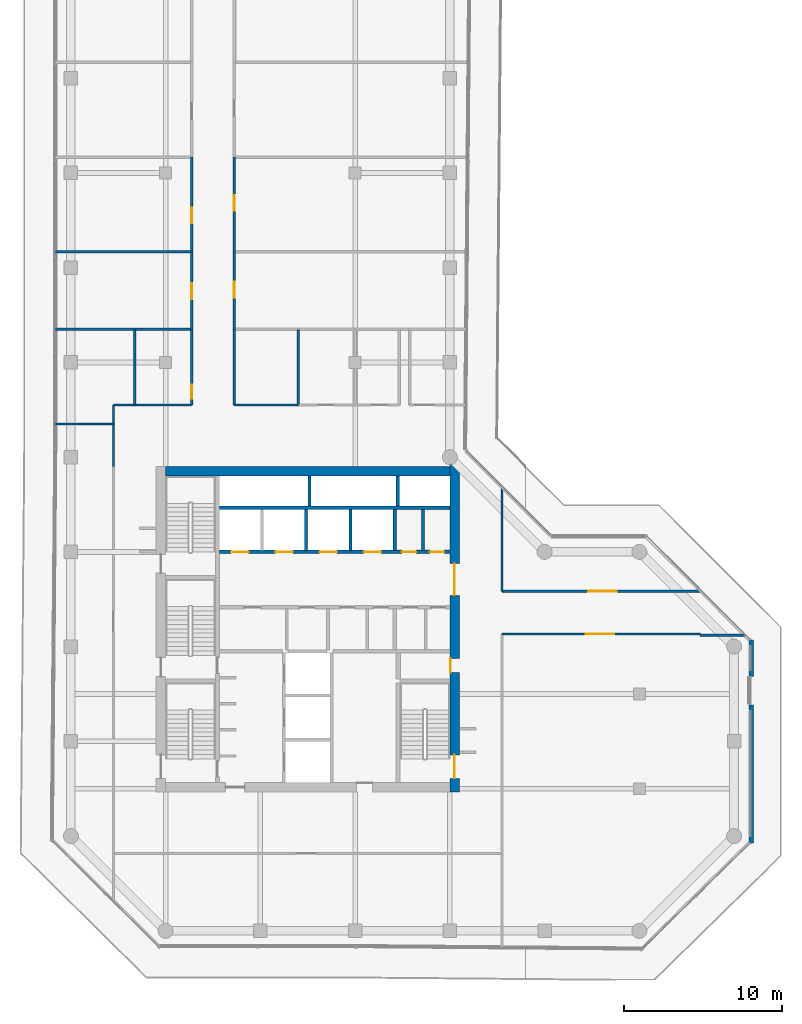
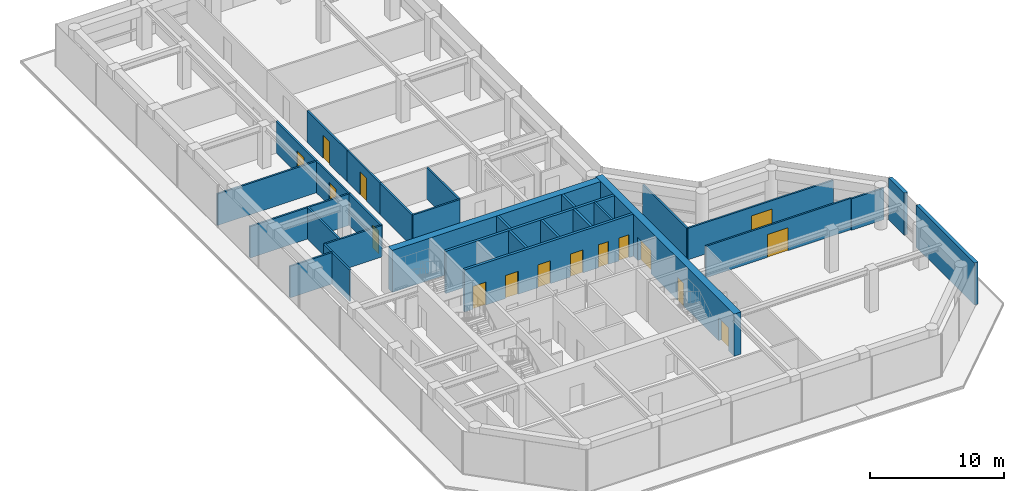
# One storey, part 16 of 19: 30 walls, 16 doors, 16 openings.
"""IFC4 building model written with IfcOpenShell, lengths in metres."""

from ifc_helpers import new_model, si_unit, direction, frame, frame_2d, origin, place, context, subcontext, project, spatial, rectangle, extrude, material, layer, layer_set, type_object, element, fill, save


model = new_model("IFC4")

# Units and contexts
model_context = context("Model", 3, precision=1e-05, world=origin(), true_north=direction((0.0, 1.0)))
body_context = subcontext(model_context, "Body", "Model", "MODEL_VIEW")
ifc_project = project(units=[si_unit("LENGTHUNIT", "METRE"), si_unit("AREAUNIT", "SQUARE_METRE"), si_unit("VOLUMEUNIT", "CUBIC_METRE"), si_unit("PLANEANGLEUNIT", "RADIAN"), si_unit("MASSUNIT", "GRAM", prefix="KILO")], contexts=[model_context])

# Site, building, storey
site_placement = place(None, origin())
site = spatial("IfcSite", under=ifc_project, at=site_placement, CompositionType="ELEMENT")
building_placement = place(site_placement, origin())
building = spatial("IfcBuilding", under=site, at=building_placement, Name="Welwitschia Terrace Campus", CompositionType="ELEMENT")
storey_placement = place(building_placement, frame((0.0, 0.0, 167.60009765625)))
storey = spatial("IfcBuildingStorey", under=building, at=storey_placement, Name="L37", CompositionType="ELEMENT", Elevation=167.60009765625)

# Wall
ifc_material_1 = material(Name="Concrete C32/40", Category="concrete")
ifc_layer_1 = layer(ifc_material_1, 0.175048828125)
ifc_layer_set_1 = layer_set([ifc_layer_1], Name="Concrete C32/40")
wall_type_1 = type_object("IfcWallType", Name="Core partition 175 Concrete C32/40", PredefinedType="PARTITIONING", material=ifc_layer_set_1)
wall_1_placement = place(storey_placement, frame((22.300048828125, 20.10009765625, 0.0), z_axis=(0.0, 0.0, 1.0), x_axis=(0.0, 1.0, 0.0)))
element("IfcWall", 1, at=wall_1_placement, inside=storey, type_object=wall_type_1, Name="Core partition", PredefinedType="PARTITIONING", context=body_context, shape_type="SweptSolid", body=[
    extrude(rectangle(XDim=2.599853515625, YDim=0.175048828125, at=frame_2d((1.2998046875, 0.0))), origin(), (0.0, 0.0, 1.0), 3.849853515625),
])

# Wall, openings, doors
ifc_material_2 = material(Name="Concrete C32/40", Category="concrete")
ifc_layer_2 = layer(ifc_material_2, 0.22509765625)
ifc_layer_set_2 = layer_set([ifc_layer_2], Name="Concrete C32/40")
wall_type_2 = type_object("IfcWallType", Name="Core partition 225 Concrete C32/40", PredefinedType="PARTITIONING", material=ifc_layer_set_2)
wall_2_placement = place(storey_placement, frame((24.0, 20.0, 0.0), z_axis=(0.0, 0.0, 1.0), x_axis=(-1.0, 0.0, 0.0)))
wall_2 = element("IfcWall", 2, at=wall_2_placement, inside=storey, type_object=wall_type_2, Name="Shaft wall", PredefinedType="PARTITIONING", context=body_context, shape_type="SweptSolid", body=[
    extrude(rectangle(XDim=14.60009765625, YDim=0.22509765625, at=frame_2d((7.300048828125, 0.0))), origin(), (0.0, 0.0, 1.0), 3.849853515625),
])
opening_1_placement = place(wall_2_placement, frame((12.75, 0.0, 0.0)))
opening_1 = element("IfcOpeningElement", 3, at=opening_1_placement, cuts=wall_2, Name="Opening LD", PredefinedType="OPENING", context=body_context, shape_type="SweptSolid", body=[
    extrude(rectangle(XDim=1.10009765625, YDim=2.10009765625, at=frame_2d((0.550048828125, 1.050048828125))), frame((0.0, 0.12255859375, 0.0), z_axis=(0.0, -1.0, 0.0), x_axis=(1.0, 0.0, 0.0)), (0.0, 0.0, 1.0), 0.2451171875),
])
opening_2_placement = place(wall_2_placement, frame((9.949951171875, 0.0, 0.0)))
opening_2 = element("IfcOpeningElement", 4, at=opening_2_placement, cuts=wall_2, Name="Opening LD", PredefinedType="OPENING", context=body_context, shape_type="SweptSolid", body=[
    extrude(rectangle(XDim=1.10009765625, YDim=2.10009765625, at=frame_2d((0.550048828125, 1.050048828125))), frame((0.0, 0.12255859375, 0.0), z_axis=(0.0, -1.0, 0.0), x_axis=(1.0, 0.0, 0.0)), (0.0, 0.0, 1.0), 0.2451171875),
])
opening_3_placement = place(wall_2_placement, frame((7.14990234375, 0.0, 0.0)))
opening_3 = element("IfcOpeningElement", 5, at=opening_3_placement, cuts=wall_2, Name="Opening LD", PredefinedType="OPENING", context=body_context, shape_type="SweptSolid", body=[
    extrude(rectangle(XDim=1.10009765625, YDim=2.10009765625, at=frame_2d((0.550048828125, 1.050048828125))), frame((0.0, 0.12255859375, 0.0), z_axis=(0.0, -1.0, 0.0), x_axis=(1.0, 0.0, 0.0)), (0.0, 0.0, 1.0), 0.2451171875),
])
opening_4_placement = place(wall_2_placement, frame((4.35009765625, 0.0, 0.0)))
opening_4 = element("IfcOpeningElement", 6, at=opening_4_placement, cuts=wall_2, Name="Opening LD", PredefinedType="OPENING", context=body_context, shape_type="SweptSolid", body=[
    extrude(rectangle(XDim=1.10009765625, YDim=2.10009765625, at=frame_2d((0.550048828125, 1.050048828125))), frame((0.0, 0.12255859375, 0.0), z_axis=(0.0, -1.0, 0.0), x_axis=(1.0, 0.0, 0.0)), (0.0, 0.0, 1.0), 0.2451171875),
])
opening_5_placement = place(wall_2_placement, frame((2.137451171875, 0.0, 0.0)))
opening_5 = element("IfcOpeningElement", 7, at=opening_5_placement, cuts=wall_2, Name="Opening DR09", PredefinedType="OPENING", context=body_context, shape_type="SweptSolid", body=[
    extrude(rectangle(XDim=0.89990234375, YDim=2.10009765625, at=frame_2d((0.449951171875, 1.050048828125))), frame((0.0, 0.12255859375, 0.0), z_axis=(0.0, -1.0, 0.0), x_axis=(1.0, 0.0, 0.0)), (0.0, 0.0, 1.0), 0.2451171875),
])
opening_6_placement = place(wall_2_placement, frame((0.362548828125, 0.0, 0.0)))
opening_6 = element("IfcOpeningElement", 8, at=opening_6_placement, cuts=wall_2, Name="Opening DR09", PredefinedType="OPENING", context=body_context, shape_type="SweptSolid", body=[
    extrude(rectangle(XDim=0.89990234375, YDim=2.10009765625, at=frame_2d((0.449951171875, 1.050048828125))), frame((0.0, 0.12255859375, 0.0), z_axis=(0.0, -1.0, 0.0), x_axis=(1.0, 0.0, 0.0)), (0.0, 0.0, 1.0), 0.2451171875),
])
ifc_material_3 = material(Name="Steel S275", Category="steel")
door_type_1 = type_object("IfcDoorType", Name="Core door DR09", OperationType="SINGLE_SWING_LEFT", PredefinedType="DOOR", material=ifc_material_3)
door_1_placement = place(opening_5_placement, origin())
door_1 = element("IfcDoor", 9, at=door_1_placement, inside=storey, type_object=door_type_1, Name="Door EH1-D", OperationType="SINGLE_SWING_LEFT", OverallHeight=2.10009765625, OverallWidth=0.89990234375, PredefinedType="DOOR", context=body_context, shape_type="SweptSolid", body=[
    extrude(rectangle(XDim=0.89990234375, YDim=2.10009765625, at=frame_2d((0.449951171875, 1.050048828125))), frame((0.0, 0.02490234375, 0.0), z_axis=(0.0, -1.0, 0.0), x_axis=(1.0, 0.0, 0.0)), (0.0, 0.0, 1.0), 0.050048828125),
])
fill(opening_5, door_1)
door_2_placement = place(opening_6_placement, origin())
door_2 = element("IfcDoor", 10, at=door_2_placement, inside=storey, type_object=door_type_1, Name="Door EH2-D", OperationType="SINGLE_SWING_LEFT", OverallHeight=2.10009765625, OverallWidth=0.89990234375, PredefinedType="DOOR", context=body_context, shape_type="SweptSolid", body=[
    extrude(rectangle(XDim=0.89990234375, YDim=2.10009765625, at=frame_2d((0.449951171875, 1.050048828125))), frame((0.0, 0.02490234375, 0.0), z_axis=(0.0, -1.0, 0.0), x_axis=(1.0, 0.0, 0.0)), (0.0, 0.0, 1.0), 0.050048828125),
])
fill(opening_6, door_2)
ifc_material_4 = material(Name="Stainless steel 304", Category="steel")
door_type_2 = type_object("IfcDoorType", Name="Lift landing door", OperationType="DOUBLE_DOOR_SLIDING", PredefinedType="DOOR", material=ifc_material_4)
door_3_placement = place(opening_1_placement, origin())
door_3 = element("IfcDoor", 11, at=door_3_placement, inside=storey, type_object=door_type_2, Name="Landing door HR1", OperationType="DOUBLE_DOOR_SLIDING", OverallHeight=2.10009765625, OverallWidth=1.10009765625, PredefinedType="DOOR", context=body_context, shape_type="SweptSolid", body=[
    extrude(rectangle(XDim=1.10009765625, YDim=2.10009765625, at=frame_2d((0.550048828125, 1.050048828125))), frame((0.0, 0.02490234375, 0.0), z_axis=(0.0, -1.0, 0.0), x_axis=(1.0, 0.0, 0.0)), (0.0, 0.0, 1.0), 0.050048828125),
])
fill(opening_1, door_3)
door_4_placement = place(opening_2_placement, origin())
door_4 = element("IfcDoor", 12, at=door_4_placement, inside=storey, type_object=door_type_2, Name="Landing door HR2", OperationType="DOUBLE_DOOR_SLIDING", OverallHeight=2.10009765625, OverallWidth=1.10009765625, PredefinedType="DOOR", context=body_context, shape_type="SweptSolid", body=[
    extrude(rectangle(XDim=1.10009765625, YDim=2.10009765625, at=frame_2d((0.550048828125, 1.050048828125))), frame((0.0, 0.02490234375, 0.0), z_axis=(0.0, -1.0, 0.0), x_axis=(1.0, 0.0, 0.0)), (0.0, 0.0, 1.0), 0.050048828125),
])
fill(opening_2, door_4)
door_5_placement = place(opening_3_placement, origin())
door_5 = element("IfcDoor", 13, at=door_5_placement, inside=storey, type_object=door_type_2, Name="Landing door HR3", OperationType="DOUBLE_DOOR_SLIDING", OverallHeight=2.10009765625, OverallWidth=1.10009765625, PredefinedType="DOOR", context=body_context, shape_type="SweptSolid", body=[
    extrude(rectangle(XDim=1.10009765625, YDim=2.10009765625, at=frame_2d((0.550048828125, 1.050048828125))), frame((0.0, 0.02490234375, 0.0), z_axis=(0.0, -1.0, 0.0), x_axis=(1.0, 0.0, 0.0)), (0.0, 0.0, 1.0), 0.050048828125),
])
fill(opening_3, door_5)
door_6_placement = place(opening_4_placement, origin())
door_6 = element("IfcDoor", 14, at=door_6_placement, inside=storey, type_object=door_type_2, Name="Landing door HR4", OperationType="DOUBLE_DOOR_SLIDING", OverallHeight=2.10009765625, OverallWidth=1.10009765625, PredefinedType="DOOR", context=body_context, shape_type="SweptSolid", body=[
    extrude(rectangle(XDim=1.10009765625, YDim=2.10009765625, at=frame_2d((0.550048828125, 1.050048828125))), frame((0.0, 0.02490234375, 0.0), z_axis=(0.0, -1.0, 0.0), x_axis=(1.0, 0.0, 0.0)), (0.0, 0.0, 1.0), 0.050048828125),
])
fill(opening_4, door_6)

# Walls
wall_3_placement = place(storey_placement, frame((9.39990234375, 22.800048828125, 0.0), z_axis=(0.0, 0.0, 1.0), x_axis=(1.0, 0.0, 0.0)))
element("IfcWall", 15, at=wall_3_placement, inside=storey, type_object=wall_type_2, Name="Shaft wall", PredefinedType="PARTITIONING", context=body_context, shape_type="SweptSolid", body=[
    extrude(rectangle(XDim=14.60009765625, YDim=0.22509765625, at=frame_2d((7.300048828125, 0.0))), origin(), (0.0, 0.0, 1.0), 3.849853515625),
])
wall_4_placement = place(storey_placement, frame((20.5, 20.10009765625, 0.0), z_axis=(0.0, 0.0, 1.0), x_axis=(0.0, 1.0, 0.0)))
element("IfcWall", 16, at=wall_4_placement, inside=storey, type_object=wall_type_2, Name="Shaft wall", PredefinedType="PARTITIONING", context=body_context, shape_type="SweptSolid", body=[
    extrude(rectangle(XDim=2.599853515625, YDim=0.22509765625, at=frame_2d((1.2998046875, 0.0))), origin(), (0.0, 0.0, 1.0), 3.849853515625),
])
ifc_material_5 = material(Name="Concrete C50/60", Category="concrete")
ifc_layer_3 = layer(ifc_material_5, 0.199951171875)
ifc_layer_set_3 = layer_set([ifc_layer_3], Name="Concrete C50/60")
wall_type_3 = type_object("IfcWallType", Name="Core wall 200 Concrete C50/60", PredefinedType="SHEAR", material=ifc_layer_set_3)
for number, where, z_axis, x_axis, name in (
    (17, (15.10009765625, 22.89990234375, 0.0), (0.0, 0.0, 1.0), (0.0, 1.0, 0.0), "Core wall"),
    (18, (20.699951171875, 22.89990234375, 0.0), (0.0, 0.0, 1.0), (0.0, 1.0, 0.0), "Core wall"),
):
    element("IfcWall", number, at=place(storey_placement, frame(where, z_axis=z_axis, x_axis=x_axis)), inside=storey, type_object=wall_type_3, Name=name, PredefinedType="SHEAR", context=body_context, shape_type="SweptSolid", body=[
        extrude(rectangle(XDim=1.900146484375, YDim=0.199951171875, at=frame_2d((0.9501953125, 0.0))), origin(), (0.0, 0.0, 1.0), 3.849853515625),
    ])

# Wall, openings, doors
ifc_material_6 = material(Name="Concrete C60/75", Category="concrete")
ifc_layer_4 = layer(ifc_material_6, 0.60009765625)
ifc_layer_set_4 = layer_set([ifc_layer_4], Name="Concrete C60/75")
wall_type_4 = type_object("IfcWallType", Name="Core wall 600 Concrete C60/75", PredefinedType="SHEAR", material=ifc_layer_set_4)
wall_5_placement = place(storey_placement, frame((24.300048828125, 25.554931640625, 0.0), z_axis=(0.0, 0.0, 1.0), x_axis=(0.0, -1.0, 0.0)))
wall_5 = element("IfcWall", 19, at=wall_5_placement, inside=storey, type_object=wall_type_4, Name="Core outer wall", PredefinedType="SHEAR", context=body_context, shape_type="SweptSolid", body=[
    extrude(rectangle(XDim=20.7548828125, YDim=0.60009765625, at=frame_2d((10.37744140625, 0.0))), origin(), (0.0, 0.0, 1.0), 3.849853515625),
])
opening_7_placement = place(wall_5_placement, frame((18.405029296875, 0.0, 0.0)))
opening_7 = element("IfcOpeningElement", 20, at=opening_7_placement, cuts=wall_5, Name="Opening DS15", PredefinedType="OPENING", context=body_context, shape_type="SweptSolid", body=[
    extrude(rectangle(XDim=1.5, YDim=2.10009765625, at=frame_2d((0.75, 1.050048828125))), frame((0.0, 0.31005859375, 0.0), z_axis=(0.0, -1.0, 0.0), x_axis=(1.0, 0.0, 0.0)), (0.0, 0.0, 1.0), 0.6201171875),
])
opening_8_placement = place(wall_5_placement, frame((12.304931640625, 0.0, 0.0)))
opening_8 = element("IfcOpeningElement", 21, at=opening_8_placement, cuts=wall_5, Name="Opening DR09", PredefinedType="OPENING", context=body_context, shape_type="SweptSolid", body=[
    extrude(rectangle(XDim=0.89990234375, YDim=2.10009765625, at=frame_2d((0.449951171875, 1.050048828125))), frame((0.0, 0.31005859375, 0.0), z_axis=(0.0, -1.0, 0.0), x_axis=(1.0, 0.0, 0.0)), (0.0, 0.0, 1.0), 0.6201171875),
])
opening_9_placement = place(wall_5_placement, frame((6.304931640625, 0.0, 0.0)))
opening_9 = element("IfcOpeningElement", 22, at=opening_9_placement, cuts=wall_5, Name="Opening DL20", PredefinedType="OPENING", context=body_context, shape_type="SweptSolid", body=[
    extrude(rectangle(XDim=2.0, YDim=2.10009765625, at=frame_2d((1.0, 1.050048828125))), frame((0.0, 0.31005859375, 0.0), z_axis=(0.0, -1.0, 0.0), x_axis=(1.0, 0.0, 0.0)), (0.0, 0.0, 1.0), 0.6201171875),
])
ifc_material_7 = material(Name="Steel S275", Category="steel")
door_type_3 = type_object("IfcDoorType", Name="Core door DL20", OperationType="DOUBLE_DOOR_SINGLE_SWING", PredefinedType="DOOR", material=ifc_material_7)
door_7_placement = place(opening_9_placement, origin())
door_7 = element("IfcDoor", 23, at=door_7_placement, inside=storey, type_object=door_type_3, Name="Door LOBBY-out", OperationType="DOUBLE_DOOR_SINGLE_SWING", OverallHeight=2.10009765625, OverallWidth=2.0, PredefinedType="DOOR", context=body_context, shape_type="SweptSolid", body=[
    extrude(rectangle(XDim=2.0, YDim=2.10009765625, at=frame_2d((1.0, 1.050048828125))), frame((0.0, 0.02490234375, 0.0), z_axis=(0.0, -1.0, 0.0), x_axis=(1.0, 0.0, 0.0)), (0.0, 0.0, 1.0), 0.050048828125),
])
fill(opening_9, door_7)
door_8_placement = place(opening_8_placement, origin())
door_8 = element("IfcDoor", 24, at=door_8_placement, inside=storey, type_object=door_type_1, Name="Door F1B-out", OperationType="SINGLE_SWING_RIGHT", OverallHeight=2.10009765625, OverallWidth=0.89990234375, PredefinedType="DOOR", context=body_context, shape_type="SweptSolid", body=[
    extrude(rectangle(XDim=0.89990234375, YDim=2.10009765625, at=frame_2d((0.449951171875, 1.050048828125))), frame((0.0, -0.23974609375, 0.0), z_axis=(0.0, -1.0, 0.0), x_axis=(1.0, 0.0, 0.0)), (0.0, 0.0, 1.0), 0.050048828125),
])
fill(opening_8, door_8)
ifc_material_8 = material(Name="Steel S275", Category="steel")
door_type_4 = type_object("IfcDoorType", Name="Core door DS15", OperationType="DOUBLE_DOOR_SINGLE_SWING", PredefinedType="DOOR", material=ifc_material_8)
door_9_placement = place(opening_7_placement, origin())
door_9 = element("IfcDoor", 25, at=door_9_placement, inside=storey, type_object=door_type_4, Name="Door S2-out", OperationType="DOUBLE_DOOR_SINGLE_SWING", OverallHeight=2.10009765625, OverallWidth=1.5, PredefinedType="DOOR", context=body_context, shape_type="SweptSolid", body=[
    extrude(rectangle(XDim=1.5, YDim=2.10009765625, at=frame_2d((0.75, 1.050048828125))), frame((0.0, 0.02490234375, 0.0), z_axis=(0.0, -1.0, 0.0), x_axis=(1.0, 0.0, 0.0)), (0.0, 0.0, 1.0), 0.050048828125),
])
fill(opening_7, door_9)

# Walls
wall_6_placement = place(storey_placement, frame((6.0, 25.10009765625, 0.0), z_axis=(0.0, 0.0, 1.0), x_axis=(1.0, 0.0, 0.0)))
element("IfcWall", 26, at=wall_6_placement, inside=storey, type_object=wall_type_4, Name="Core outer wall", PredefinedType="SHEAR", context=body_context, shape_type="SweptSolid", body=[
    extrude(rectangle(XDim=18.0, YDim=0.60009765625, at=frame_2d((9.0, 0.0))), origin(), (0.0, 0.0, 1.0), 3.849853515625),
])
ifc_material_9 = material(Name="Gypsum board on steel studs", Category="steel")
ifc_layer_5 = layer(ifc_material_9, 0.14990234375)
ifc_layer_set_5 = layer_set([ifc_layer_5], Name="Gypsum board on steel studs")
wall_type_5 = type_object("IfcWallType", Name="Corridor partition 150 EI 30", PredefinedType="PARTITIONING", material=ifc_layer_set_5)
wall_7_placement = place(storey_placement, frame((-0.97998046875, 28.10009765625, 0.0), z_axis=(0.0, 0.0, 1.0), x_axis=(1.0, 0.0, 0.0)))
element("IfcWall", 27, at=wall_7_placement, inside=storey, type_object=wall_type_5, Name="Partition", PredefinedType="PARTITIONING", context=body_context, shape_type="SweptSolid", body=[
    extrude(rectangle(XDim=3.679931640625, YDim=0.14990234375, at=frame_2d((1.83984375, 0.0))), origin(), (0.0, 0.0, 1.0), 2.8798828125),
])
for number, where, z_axis, x_axis, name in (
    (28, (-0.97998046875, 34.10009765625, 0.0), (0.0, 0.0, 1.0), (1.0, 0.0, 0.0), "Partition"),
    (29, (-0.97998046875, 39.0, 0.0), (0.0, 0.0, 1.0), (1.0, 0.0, 0.0), "Partition"),
):
    element("IfcWall", number, at=place(storey_placement, frame(where, z_axis=z_axis, x_axis=x_axis)), inside=storey, type_object=wall_type_5, Name=name, PredefinedType="PARTITIONING", context=body_context, shape_type="SweptSolid", body=[
        extrude(rectangle(XDim=8.6298828125, YDim=0.14990234375, at=frame_2d((4.31494140625, 0.0))), origin(), (0.0, 0.0, 1.0), 2.8798828125),
    ])
wall_8_placement = place(storey_placement, frame((2.699951171875, 25.39990234375, 0.0), z_axis=(0.0, 0.0, 1.0), x_axis=(0.0, 1.0, 0.0)))
element("IfcWall", 30, at=wall_8_placement, inside=storey, type_object=wall_type_5, Name="Partition", PredefinedType="PARTITIONING", context=body_context, shape_type="SweptSolid", body=[
    extrude(rectangle(XDim=3.900146484375, YDim=0.14990234375, at=frame_2d((1.9501953125, 0.0))), origin(), (0.0, 0.0, 1.0), 2.8798828125),
])
wall_9_placement = place(storey_placement, frame((2.699951171875, 29.300048828125, 0.0), z_axis=(0.0, 0.0, 1.0), x_axis=(1.0, 0.0, 0.0)))
element("IfcWall", 31, at=wall_9_placement, inside=storey, type_object=wall_type_5, Name="Partition", PredefinedType="PARTITIONING", context=body_context, shape_type="SweptSolid", body=[
    extrude(rectangle(XDim=4.949951171875, YDim=0.14990234375, at=frame_2d((2.47509765625, 0.0))), origin(), (0.0, 0.0, 1.0), 2.8798828125),
])
wall_10_placement = place(storey_placement, frame((4.050048828125, 29.300048828125, 0.0), z_axis=(0.0, 0.0, 1.0), x_axis=(0.0, 1.0, 0.0)))
element("IfcWall", 32, at=wall_10_placement, inside=storey, type_object=wall_type_5, Name="Partition", PredefinedType="PARTITIONING", context=body_context, shape_type="SweptSolid", body=[
    extrude(rectangle(XDim=4.800048828125, YDim=0.14990234375, at=frame_2d((2.39990234375, 0.0))), origin(), (0.0, 0.0, 1.0), 2.8798828125),
])

# Wall, opening, door
wall_11_placement = place(storey_placement, frame((7.64990234375, 29.300048828125, 0.0), z_axis=(0.0, 0.0, 1.0), x_axis=(0.0, 1.0, 0.0)))
wall_11 = element("IfcWall", 33, at=wall_11_placement, inside=storey, type_object=wall_type_5, Name="Partition", PredefinedType="PARTITIONING", context=body_context, shape_type="SweptSolid", body=[
    extrude(rectangle(XDim=4.800048828125, YDim=0.14990234375, at=frame_2d((2.39990234375, 0.0))), origin(), (0.0, 0.0, 1.0), 2.8798828125),
])
opening_10_placement = place(wall_11_placement, frame((0.39990234375, 0.0, 0.0)))
opening_10 = element("IfcOpeningElement", 34, at=opening_10_placement, cuts=wall_11, Name="Opening DI09", PredefinedType="OPENING", context=body_context, shape_type="SweptSolid", body=[
    extrude(rectangle(XDim=0.89990234375, YDim=2.10009765625, at=frame_2d((0.449951171875, 1.050048828125))), frame((0.0, 0.0849609375, 0.0), z_axis=(0.0, -1.0, 0.0), x_axis=(1.0, 0.0, 0.0)), (0.0, 0.0, 1.0), 0.169921875),
])
ifc_material_10 = material(Name="Timber veneered door", Category="wood")
door_type_5 = type_object("IfcDoorType", Name="Interior door DI09", OperationType="NOTDEFINED", PredefinedType="DOOR", material=ifc_material_10)
door_10_placement = place(opening_10_placement, origin())
door_10 = element("IfcDoor", 35, at=door_10_placement, inside=storey, type_object=door_type_5, Name="Door L37 743", OperationType="SINGLE_SWING_RIGHT", OverallHeight=2.10009765625, OverallWidth=0.89990234375, PredefinedType="DOOR", context=body_context, shape_type="SweptSolid", body=[
    extrude(rectangle(XDim=0.89990234375, YDim=2.10009765625, at=frame_2d((0.449951171875, 1.050048828125))), frame((0.0, 0.02490234375, 0.0), z_axis=(0.0, -1.0, 0.0), x_axis=(1.0, 0.0, 0.0)), (0.0, 0.0, 1.0), 0.050048828125),
])
fill(opening_10, door_10)

wall_12_placement = place(storey_placement, frame((7.64990234375, 34.10009765625, 0.0), z_axis=(0.0, 0.0, 1.0), x_axis=(0.0, 1.0, 0.0)))
wall_12 = element("IfcWall", 36, at=wall_12_placement, inside=storey, type_object=wall_type_5, Name="Partition", PredefinedType="PARTITIONING", context=body_context, shape_type="SweptSolid", body=[
    extrude(rectangle(XDim=4.89990234375, YDim=0.14990234375, at=frame_2d((2.449951171875, 0.0))), origin(), (0.0, 0.0, 1.0), 2.8798828125),
])
opening_11_placement = place(wall_12_placement, frame((1.89990234375, 0.0, 0.0)))
opening_11 = element("IfcOpeningElement", 37, at=opening_11_placement, cuts=wall_12, Name="Opening DI10", PredefinedType="OPENING", context=body_context, shape_type="SweptSolid", body=[
    extrude(rectangle(XDim=1.0, YDim=2.10009765625, at=frame_2d((0.5, 1.050048828125))), frame((0.0, 0.0849609375, 0.0), z_axis=(0.0, -1.0, 0.0), x_axis=(1.0, 0.0, 0.0)), (0.0, 0.0, 1.0), 0.169921875),
])
ifc_material_11 = material(Name="Timber veneered door", Category="wood")
door_type_6 = type_object("IfcDoorType", Name="Interior door DI10", OperationType="NOTDEFINED", PredefinedType="DOOR", material=ifc_material_11)
door_11_placement = place(opening_11_placement, origin())
door_11 = element("IfcDoor", 38, at=door_11_placement, inside=storey, type_object=door_type_6, Name="Door L37 744", OperationType="SINGLE_SWING_LEFT", OverallHeight=2.10009765625, OverallWidth=1.0, PredefinedType="DOOR", context=body_context, shape_type="SweptSolid", body=[
    extrude(rectangle(XDim=1.0, YDim=2.10009765625, at=frame_2d((0.5, 1.050048828125))), frame((0.0, 0.02490234375, 0.0), z_axis=(0.0, -1.0, 0.0), x_axis=(1.0, 0.0, 0.0)), (0.0, 0.0, 1.0), 0.050048828125),
])
fill(opening_11, door_11)

wall_13_placement = place(storey_placement, frame((7.64990234375, 39.0, 0.0), z_axis=(0.0, 0.0, 1.0), x_axis=(0.0, 1.0, 0.0)))
wall_13 = element("IfcWall", 39, at=wall_13_placement, inside=storey, type_object=wall_type_5, Name="Partition", PredefinedType="PARTITIONING", context=body_context, shape_type="SweptSolid", body=[
    extrude(rectangle(XDim=6.0, YDim=0.14990234375, at=frame_2d((3.0, 0.0))), origin(), (0.0, 0.0, 1.0), 2.8798828125),
])
opening_12_placement = place(wall_13_placement, frame((1.800048828125, 0.0, 0.0)))
opening_12 = element("IfcOpeningElement", 40, at=opening_12_placement, cuts=wall_13, Name="Opening DI10", PredefinedType="OPENING", context=body_context, shape_type="SweptSolid", body=[
    extrude(rectangle(XDim=1.0, YDim=2.10009765625, at=frame_2d((0.5, 1.050048828125))), frame((0.0, 0.0849609375, 0.0), z_axis=(0.0, -1.0, 0.0), x_axis=(1.0, 0.0, 0.0)), (0.0, 0.0, 1.0), 0.169921875),
])
door_12_placement = place(opening_12_placement, origin())
door_12 = element("IfcDoor", 41, at=door_12_placement, inside=storey, type_object=door_type_6, Name="Door L37 745", OperationType="SINGLE_SWING_RIGHT", OverallHeight=2.10009765625, OverallWidth=1.0, PredefinedType="DOOR", context=body_context, shape_type="SweptSolid", body=[
    extrude(rectangle(XDim=1.0, YDim=2.10009765625, at=frame_2d((0.5, 1.050048828125))), frame((0.0, 0.02490234375, 0.0), z_axis=(0.0, -1.0, 0.0), x_axis=(1.0, 0.0, 0.0)), (0.0, 0.0, 1.0), 0.050048828125),
])
fill(opening_12, door_12)

# Walls
wall_14_placement = place(storey_placement, frame((10.35009765625, 29.300048828125, 0.0), z_axis=(0.0, 0.0, 1.0), x_axis=(0.0, 1.0, 0.0)))
element("IfcWall", 42, at=wall_14_placement, inside=storey, type_object=wall_type_5, Name="Partition", PredefinedType="PARTITIONING", context=body_context, shape_type="SweptSolid", body=[
    extrude(rectangle(XDim=4.800048828125, YDim=0.14990234375, at=frame_2d((2.39990234375, 0.0))), origin(), (0.0, 0.0, 1.0), 2.8798828125),
])
wall_15_placement = place(storey_placement, frame((10.35009765625, 29.300048828125, 0.0), z_axis=(0.0, 0.0, 1.0), x_axis=(1.0, 0.0, 0.0)))
element("IfcWall", 43, at=wall_15_placement, inside=storey, type_object=wall_type_5, Name="Partition", PredefinedType="PARTITIONING", context=body_context, shape_type="SweptSolid", body=[
    extrude(rectangle(XDim=4.0498046875, YDim=0.14990234375, at=frame_2d((2.02490234375, 0.0))), origin(), (0.0, 0.0, 1.0), 2.8798828125),
])

# Wall, opening, door
wall_16_placement = place(storey_placement, frame((10.35009765625, 39.0, 0.0), z_axis=(0.0, 0.0, 1.0), x_axis=(0.0, -1.0, 0.0)))
wall_16 = element("IfcWall", 44, at=wall_16_placement, inside=storey, type_object=wall_type_5, Name="Partition", PredefinedType="PARTITIONING", context=body_context, shape_type="SweptSolid", body=[
    extrude(rectangle(XDim=4.89990234375, YDim=0.14990234375, at=frame_2d((2.449951171875, 0.0))), origin(), (0.0, 0.0, 1.0), 2.8798828125),
])
opening_13_placement = place(wall_16_placement, frame((1.89990234375, 0.0, 0.0)))
opening_13 = element("IfcOpeningElement", 45, at=opening_13_placement, cuts=wall_16, Name="Opening DI10", PredefinedType="OPENING", context=body_context, shape_type="SweptSolid", body=[
    extrude(rectangle(XDim=1.0, YDim=2.10009765625, at=frame_2d((0.5, 1.050048828125))), frame((0.0, 0.0849609375, 0.0), z_axis=(0.0, -1.0, 0.0), x_axis=(1.0, 0.0, 0.0)), (0.0, 0.0, 1.0), 0.169921875),
])
door_13_placement = place(opening_13_placement, origin())
door_13 = element("IfcDoor", 46, at=door_13_placement, inside=storey, type_object=door_type_6, Name="Door L37 748", OperationType="SINGLE_SWING_LEFT", OverallHeight=2.10009765625, OverallWidth=1.0, PredefinedType="DOOR", context=body_context, shape_type="SweptSolid", body=[
    extrude(rectangle(XDim=1.0, YDim=2.10009765625, at=frame_2d((0.5, 1.050048828125))), frame((0.0, 0.02490234375, 0.0), z_axis=(0.0, -1.0, 0.0), x_axis=(1.0, 0.0, 0.0)), (0.0, 0.0, 1.0), 0.050048828125),
])
fill(opening_13, door_13)

wall_17_placement = place(storey_placement, frame((10.35009765625, 45.0, 0.0), z_axis=(0.0, 0.0, 1.0), x_axis=(0.0, -1.0, 0.0)))
wall_17 = element("IfcWall", 47, at=wall_17_placement, inside=storey, type_object=wall_type_5, Name="Partition", PredefinedType="PARTITIONING", context=body_context, shape_type="SweptSolid", body=[
    extrude(rectangle(XDim=6.0, YDim=0.14990234375, at=frame_2d((3.0, 0.0))), origin(), (0.0, 0.0, 1.0), 2.8798828125),
])
opening_14_placement = place(wall_17_placement, frame((2.39990234375, 0.0, 0.0)))
opening_14 = element("IfcOpeningElement", 48, at=opening_14_placement, cuts=wall_17, Name="Opening DI10", PredefinedType="OPENING", context=body_context, shape_type="SweptSolid", body=[
    extrude(rectangle(XDim=1.0, YDim=2.10009765625, at=frame_2d((0.5, 1.050048828125))), frame((0.0, 0.0849609375, 0.0), z_axis=(0.0, -1.0, 0.0), x_axis=(1.0, 0.0, 0.0)), (0.0, 0.0, 1.0), 0.169921875),
])
door_14_placement = place(opening_14_placement, origin())
door_14 = element("IfcDoor", 49, at=door_14_placement, inside=storey, type_object=door_type_6, Name="Door L37 749", OperationType="SINGLE_SWING_RIGHT", OverallHeight=2.10009765625, OverallWidth=1.0, PredefinedType="DOOR", context=body_context, shape_type="SweptSolid", body=[
    extrude(rectangle(XDim=1.0, YDim=2.10009765625, at=frame_2d((0.5, 1.050048828125))), frame((0.0, 0.02490234375, 0.0), z_axis=(0.0, -1.0, 0.0), x_axis=(1.0, 0.0, 0.0)), (0.0, 0.0, 1.0), 0.050048828125),
])
fill(opening_14, door_14)

# Wall
wall_18_placement = place(storey_placement, frame((14.39990234375, 29.300048828125, 0.0), z_axis=(0.0, 0.0, 1.0), x_axis=(0.0, 1.0, 0.0)))
element("IfcWall", 50, at=wall_18_placement, inside=storey, type_object=wall_type_5, Name="Partition", PredefinedType="PARTITIONING", context=body_context, shape_type="SweptSolid", body=[
    extrude(rectangle(XDim=4.800048828125, YDim=0.14990234375, at=frame_2d((2.39990234375, 0.0))), origin(), (0.0, 0.0, 1.0), 2.8798828125),
])

# Wall, opening, door
wall_19_placement = place(storey_placement, frame((27.300048828125, 14.800048828125, 0.0), z_axis=(0.0, 0.0, 1.0), x_axis=(1.0, 0.0, 0.0)))
wall_19 = element("IfcWall", 51, at=wall_19_placement, inside=storey, type_object=wall_type_5, Name="Partition", PredefinedType="PARTITIONING", context=body_context, shape_type="SweptSolid", body=[
    extrude(rectangle(XDim=12.570068359375, YDim=0.14990234375, at=frame_2d((6.28515625, 0.0))), origin(), (0.0, 0.0, 1.0), 2.8798828125),
])
opening_15_placement = place(wall_19_placement, frame((5.300048828125, 0.0, 0.0)))
opening_15 = element("IfcOpeningElement", 52, at=opening_15_placement, cuts=wall_19, Name="Opening DI18", PredefinedType="OPENING", context=body_context, shape_type="SweptSolid", body=[
    extrude(rectangle(XDim=1.800048828125, YDim=2.10009765625, at=frame_2d((0.89990234375, 1.050048828125))), frame((0.0, 0.0849609375, 0.0), z_axis=(0.0, -1.0, 0.0), x_axis=(1.0, 0.0, 0.0)), (0.0, 0.0, 1.0), 0.169921875),
])
ifc_material_12 = material(Name="Timber veneered door", Category="wood")
door_type_7 = type_object("IfcDoorType", Name="Interior door DI18", OperationType="DOUBLE_DOOR_SINGLE_SWING", PredefinedType="DOOR", material=ifc_material_12)
door_15_placement = place(opening_15_placement, origin())
door_15 = element("IfcDoor", 53, at=door_15_placement, inside=storey, type_object=door_type_7, Name="Door L37 756", OperationType="SINGLE_SWING_LEFT", OverallHeight=2.10009765625, OverallWidth=1.800048828125, PredefinedType="DOOR", context=body_context, shape_type="SweptSolid", body=[
    extrude(rectangle(XDim=1.800048828125, YDim=2.10009765625, at=frame_2d((0.89990234375, 1.050048828125))), frame((0.0, 0.02490234375, 0.0), z_axis=(0.0, -1.0, 0.0), x_axis=(1.0, 0.0, 0.0)), (0.0, 0.0, 1.0), 0.050048828125),
])
fill(opening_15, door_15)

# Walls
wall_20_placement = place(storey_placement, frame((27.300048828125, 17.5, 0.0), z_axis=(0.0, 0.0, 1.0), x_axis=(0.0, 1.0, 0.0)))
element("IfcWall", 54, at=wall_20_placement, inside=storey, type_object=wall_type_5, Name="Partition", PredefinedType="PARTITIONING", context=body_context, shape_type="SweptSolid", body=[
    extrude(rectangle(XDim=6.580078125, YDim=0.14990234375, at=frame_2d((3.2900390625, 0.0))), origin(), (0.0, 0.0, 1.0), 2.8798828125),
])
wall_21_placement = place(storey_placement, frame((39.840087890625, 14.719970703125, 0.0), z_axis=(0.0, 0.0, 1.0), x_axis=(1.0, 0.0, 0.0)))
element("IfcWall", 55, at=wall_21_placement, inside=storey, type_object=wall_type_5, Name="Partition", PredefinedType="PARTITIONING", context=body_context, shape_type="SweptSolid", body=[
    extrude(rectangle(XDim=2.811767578125, YDim=0.14990234375, at=frame_2d((1.40576171875, 0.0))), origin(), (0.0, 0.0, 1.0), 2.8798828125),
])

# Wall, opening, door
wall_22_placement = place(storey_placement, frame((39.8798828125, 17.5, 0.0), z_axis=(0.0, 0.0, 1.0), x_axis=(-1.0, 0.0, 0.0)))
wall_22 = element("IfcWall", 56, at=wall_22_placement, inside=storey, type_object=wall_type_5, Name="Partition", PredefinedType="PARTITIONING", context=body_context, shape_type="SweptSolid", body=[
    extrude(rectangle(XDim=12.579833984375, YDim=0.14990234375, at=frame_2d((6.2900390625, 0.0))), origin(), (0.0, 0.0, 1.0), 2.8798828125),
])
opening_16_placement = place(wall_22_placement, frame((5.300048828125, 0.0, 0.0)))
opening_16 = element("IfcOpeningElement", 57, at=opening_16_placement, cuts=wall_22, Name="Opening DI18", PredefinedType="OPENING", context=body_context, shape_type="SweptSolid", body=[
    extrude(rectangle(XDim=1.800048828125, YDim=2.10009765625, at=frame_2d((0.89990234375, 1.050048828125))), frame((0.0, 0.0849609375, 0.0), z_axis=(0.0, -1.0, 0.0), x_axis=(1.0, 0.0, 0.0)), (0.0, 0.0, 1.0), 0.169921875),
])
door_16_placement = place(opening_16_placement, origin())
door_16 = element("IfcDoor", 58, at=door_16_placement, inside=storey, type_object=door_type_7, Name="Door L37 757", OperationType="SINGLE_SWING_LEFT", OverallHeight=2.10009765625, OverallWidth=1.800048828125, PredefinedType="DOOR", context=body_context, shape_type="SweptSolid", body=[
    extrude(rectangle(XDim=1.800048828125, YDim=2.10009765625, at=frame_2d((0.89990234375, 1.050048828125))), frame((0.0, 0.02490234375, 0.0), z_axis=(0.0, -1.0, 0.0), x_axis=(1.0, 0.0, 0.0)), (0.0, 0.0, 1.0), 0.050048828125),
])
fill(opening_16, door_16)

# Walls
ifc_material_13 = material(Name="Concrete C40/50", Category="concrete")
ifc_layer_6 = layer(ifc_material_13, 0.300048828125)
ifc_layer_set_6 = layer_set([ifc_layer_6], Name="Concrete C40/50")
wall_type_6 = type_object("IfcWallType", Name="Mass wall 300", PredefinedType="SOLIDWALL", material=ifc_layer_set_6)
wall_23_placement = place(storey_placement, frame((43.07958984375, 1.5732421875, 0.0), z_axis=(0.0, 0.0, 1.0), x_axis=(0.0, 1.0, 0.0)))
element("IfcWall", 59, at=wall_23_placement, inside=storey, type_object=wall_type_6, Name="Mass wall L37.7.0", PredefinedType="SOLIDWALL", context=body_context, shape_type="SweptSolid", body=[
    extrude(rectangle(XDim=8.739990234375, YDim=0.300048828125, at=frame_2d((4.3701171875, 0.0))), origin(), (0.0, 0.0, 1.0), 3.849853515625),
])
wall_24_placement = place(storey_placement, frame((43.07958984375, 12.11328125, 0.0), z_axis=(0.0, 0.0, 1.0), x_axis=(0.0, 1.0, 0.0)))
element("IfcWall", 60, at=wall_24_placement, inside=storey, type_object=wall_type_6, Name="Mass wall L37.7.1", PredefinedType="SOLIDWALL", context=body_context, shape_type="SweptSolid", body=[
    extrude(rectangle(XDim=2.313232421875, YDim=0.300048828125, at=frame_2d((1.15673828125, 0.0))), origin(), (0.0, 0.0, 1.0), 3.849853515625),
])
ifc_material_14 = material(Name="Concrete C32/40", Category="concrete")
ifc_layer_7 = layer(ifc_material_14, 0.199951171875)
ifc_layer_set_7 = layer_set([ifc_layer_7], Name="Concrete C32/40")
wall_type_7 = type_object("IfcWallType", Name="Shaft wall 200 Concrete C32/40", PredefinedType="SOLIDWALL", material=ifc_layer_set_7)
for number, where, z_axis, x_axis, name in (
    (61, (14.89990234375, 20.10009765625, 0.0), (0.0, 0.0, 1.0), (0.0, 1.0, 0.0), "Shaft wall"),
    (62, (17.699951171875, 20.10009765625, 0.0), (0.0, 0.0, 1.0), (0.0, 1.0, 0.0), "Shaft wall"),
):
    element("IfcWall", number, at=place(storey_placement, frame(where, z_axis=z_axis, x_axis=x_axis)), inside=storey, type_object=wall_type_7, Name=name, PredefinedType="SOLIDWALL", context=body_context, shape_type="SweptSolid", body=[
        extrude(rectangle(XDim=2.599853515625, YDim=0.199951171875, at=frame_2d((1.2998046875, 0.0))), origin(), (0.0, 0.0, 1.0), 3.849853515625),
    ])

save(model, "model.ifc")
